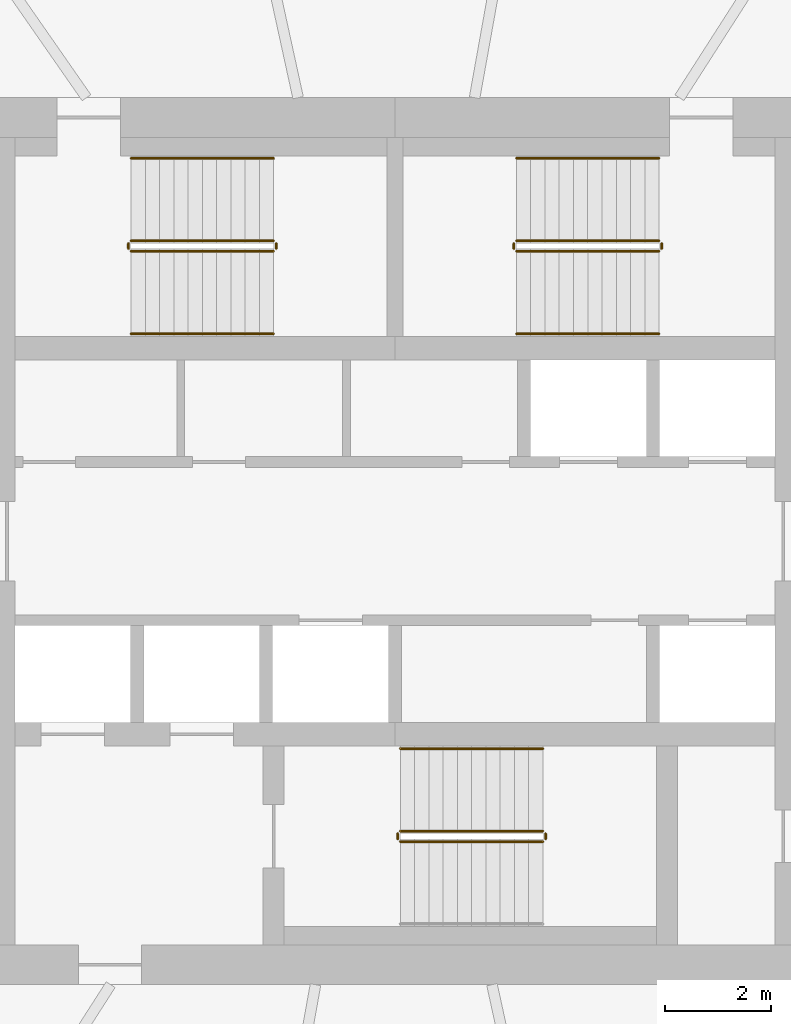
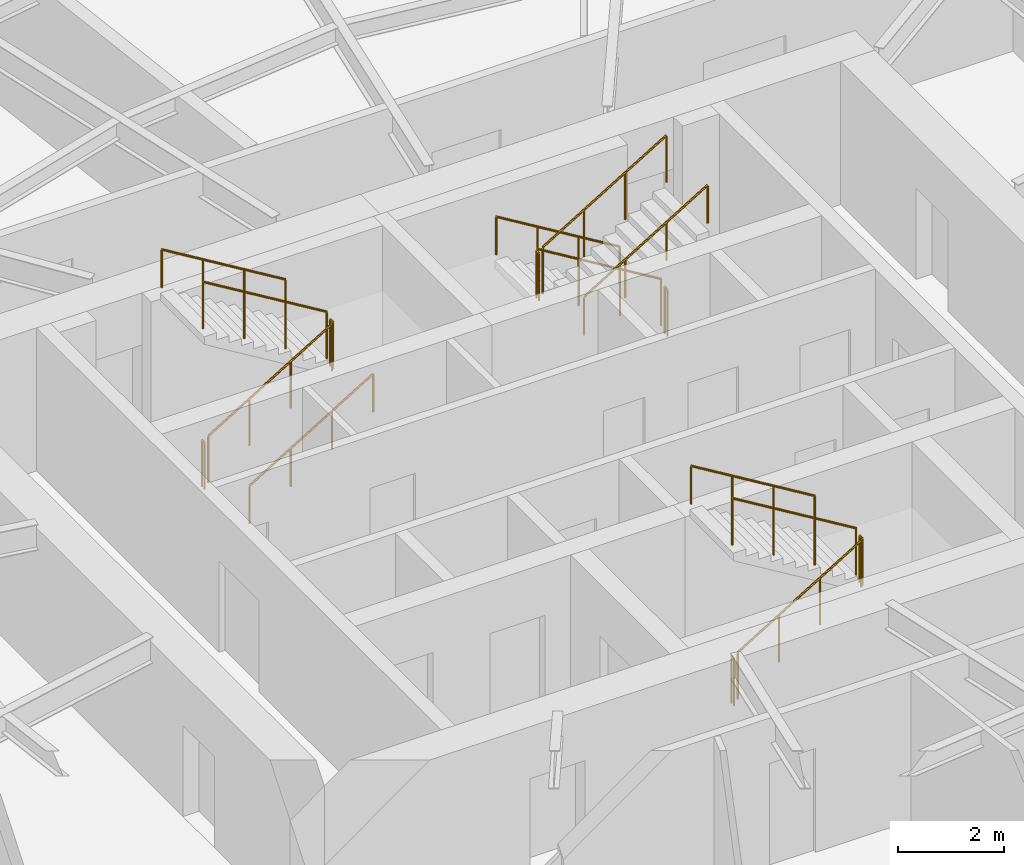
# One storey, part 13 of 14: 17 railings.
"""IFC4 building model written with IfcOpenShell, lengths in metres."""

from ifc_helpers import new_model, si_unit, direction, frame, origin, origin_2d, place, context, subcontext, project, spatial, circle, extrude, material, type_object, element, save


model = new_model("IFC4")

# Units and contexts
model_context = context("Model", 3, precision=1e-05, world=origin(), true_north=direction((0.0, 1.0)))
body_context = subcontext(model_context, "Body", "Model", "MODEL_VIEW")
ifc_project = project(units=[si_unit("LENGTHUNIT", "METRE"), si_unit("AREAUNIT", "SQUARE_METRE"), si_unit("VOLUMEUNIT", "CUBIC_METRE"), si_unit("PLANEANGLEUNIT", "RADIAN"), si_unit("MASSUNIT", "GRAM", prefix="KILO")], contexts=[model_context])

# Site, building, storey
site_placement = place(None, origin())
site = spatial("IfcSite", under=ifc_project, at=site_placement, CompositionType="ELEMENT")
building_placement = place(site_placement, origin())
building = spatial("IfcBuilding", under=site, at=building_placement, Name="Vermilion Reach Broadcast Tower", CompositionType="ELEMENT")
storey_placement = place(building_placement, frame((0.0, 0.0, 199.300048828125)))
storey = spatial("IfcBuildingStorey", under=building, at=storey_placement, Name="L48", CompositionType="ELEMENT", Elevation=199.300048828125)

# Railings
ifc_material_1 = material(Name="Stainless steel", Category="steel")
railing_type_1 = type_object("IfcRailingType", Name="Stair guard 1100", PredefinedType="GUARDRAIL", material=ifc_material_1)
railing_1_placement = place(storey_placement, frame((-11.0, 5.489990234375, 0.16357421875)))
element("IfcRailing", 1, at=railing_1_placement, inside=storey, type_object=railing_type_1, Name="L48 ST1 stair guard 1", PredefinedType="GUARDRAIL", context=body_context, shape_type="SweptSolid", body=[
    extrude(circle(Radius=0.02392578125, at=origin_2d()), frame((0.0, 0.0, 1.076171875), z_axis=(0.855178096276, 0.0, 0.518334277904), x_axis=(0.0, 1.0, 0.0)), (0.0, 0.0, 1.0), 3.1572265625),
    extrude(circle(Radius=0.02099609375, at=origin_2d()), origin(), (0.0, 0.0, 1.0), 1.052001953125),
    extrude(circle(Radius=0.02099609375, at=origin_2d()), frame((0.89990234375, 0.0, 0.54541015625)), (0.0, 0.0, 1.0), 1.052001953125),
    extrude(circle(Radius=0.02099609375, at=origin_2d()), frame((1.800048828125, 0.0, 1.091064453125)), (0.0, 0.0, 1.0), 1.052001953125),
    extrude(circle(Radius=0.02099609375, at=origin_2d()), frame((2.699951171875, 0.0, 1.636474609375)), (0.0, 0.0, 1.0), 1.052001953125),
])
railing_2_placement = place(storey_placement, frame((-8.25, 5.5400390625, 1.800048828125)))
element("IfcRailing", 2, at=railing_2_placement, inside=storey, type_object=railing_type_1, Name="L48 ST1 stair guard 2", PredefinedType="GUARDRAIL", context=body_context, shape_type="SweptSolid", body=[
    extrude(circle(Radius=0.02392578125, at=origin_2d()), frame((0.0, 0.0, 1.076171875), z_axis=(0.0, 1.0, 0.0), x_axis=(-1.0, 0.0, 0.0)), (0.0, 0.0, 1.0), 0.099853515625),
    extrude(circle(Radius=0.02099609375, at=origin_2d()), origin(), (0.0, 0.0, 1.0), 1.052001953125),
    extrude(circle(Radius=0.02099609375, at=origin_2d()), frame((0.0, 0.099853515625, 0.0)), (0.0, 0.0, 1.0), 1.052001953125),
])
railing_3_placement = place(storey_placement, frame((-8.300048828125, 5.68994140625, 1.963623046875)))
element("IfcRailing", 3, at=railing_3_placement, inside=storey, type_object=railing_type_1, Name="L48 ST1 stair guard 3", PredefinedType="GUARDRAIL", context=body_context, shape_type="SweptSolid", body=[
    extrude(circle(Radius=0.02392578125, at=origin_2d()), frame((0.0, 0.0, 1.076171875), z_axis=(-0.855212373127, 0.0, 0.518277721738), x_axis=(0.0, -1.0, 0.0)), (0.0, 0.0, 1.0), 3.156982421875),
    extrude(circle(Radius=0.02099609375, at=origin_2d()), origin(), (0.0, 0.0, 1.0), 1.052001953125),
    extrude(circle(Radius=0.02099609375, at=origin_2d()), frame((-0.89990234375, 0.0, 0.54541015625)), (0.0, 0.0, 1.0), 1.052001953125),
    extrude(circle(Radius=0.02099609375, at=origin_2d()), frame((-1.800048828125, 0.0, 1.0908203125)), (0.0, 0.0, 1.0), 1.052001953125),
    extrude(circle(Radius=0.02099609375, at=origin_2d()), frame((-2.699951171875, 0.0, 1.63623046875)), (0.0, 0.0, 1.0), 1.052001953125),
])
railing_4_placement = place(storey_placement, frame((-11.050048828125, 5.5400390625, 0.0)))
element("IfcRailing", 4, at=railing_4_placement, inside=storey, type_object=railing_type_1, Name="L48 ST1 stair guard 4", PredefinedType="GUARDRAIL", context=body_context, shape_type="SweptSolid", body=[
    extrude(circle(Radius=0.02392578125, at=origin_2d()), frame((0.0, 0.0, 1.076171875), z_axis=(0.0, 1.0, 0.0), x_axis=(-1.0, 0.0, 0.0)), (0.0, 0.0, 1.0), 0.099853515625),
    extrude(circle(Radius=0.02099609375, at=origin_2d()), origin(), (0.0, 0.0, 1.0), 1.052001953125),
    extrude(circle(Radius=0.02099609375, at=origin_2d()), frame((0.0, 0.099853515625, 0.0)), (0.0, 0.0, 1.0), 1.052001953125),
])
railing_5_placement = place(storey_placement, frame((-1.0, 5.68994140625, 0.16357421875)))
element("IfcRailing", 5, at=railing_5_placement, inside=storey, type_object=railing_type_1, Name="L48 ST2 stair guard 1", PredefinedType="GUARDRAIL", context=body_context, shape_type="SweptSolid", body=[
    extrude(circle(Radius=0.02392578125, at=origin_2d()), frame((0.0, 0.0, 1.076171875), z_axis=(-0.855178096276, 0.0, 0.518334277904), x_axis=(0.0, -1.0, 0.0)), (0.0, 0.0, 1.0), 3.1572265625),
    extrude(circle(Radius=0.02099609375, at=origin_2d()), origin(), (0.0, 0.0, 1.0), 1.052001953125),
    extrude(circle(Radius=0.02099609375, at=origin_2d()), frame((-0.89990234375, 0.0, 0.54541015625)), (0.0, 0.0, 1.0), 1.052001953125),
    extrude(circle(Radius=0.02099609375, at=origin_2d()), frame((-1.800048828125, 0.0, 1.091064453125)), (0.0, 0.0, 1.0), 1.052001953125),
    extrude(circle(Radius=0.02099609375, at=origin_2d()), frame((-2.699951171875, 0.0, 1.636474609375)), (0.0, 0.0, 1.0), 1.052001953125),
])
railing_6_placement = place(storey_placement, frame((-3.75, 5.639892578125, 1.800048828125)))
element("IfcRailing", 6, at=railing_6_placement, inside=storey, type_object=railing_type_1, Name="L48 ST2 stair guard 2", PredefinedType="GUARDRAIL", context=body_context, shape_type="SweptSolid", body=[
    extrude(circle(Radius=0.02392578125, at=origin_2d()), frame((0.0, 0.0, 1.076171875), z_axis=(0.0, -1.0, 0.0), x_axis=(1.0, 0.0, 0.0)), (0.0, 0.0, 1.0), 0.099853515625),
    extrude(circle(Radius=0.02099609375, at=origin_2d()), origin(), (0.0, 0.0, 1.0), 1.052001953125),
    extrude(circle(Radius=0.02099609375, at=origin_2d()), frame((0.0, -0.099853515625, 0.0)), (0.0, 0.0, 1.0), 1.052001953125),
])
railing_7_placement = place(storey_placement, frame((-3.699951171875, 5.489990234375, 1.963623046875)))
element("IfcRailing", 7, at=railing_7_placement, inside=storey, type_object=railing_type_1, Name="L48 ST2 stair guard 3", PredefinedType="GUARDRAIL", context=body_context, shape_type="SweptSolid", body=[
    extrude(circle(Radius=0.02392578125, at=origin_2d()), frame((0.0, 0.0, 1.076171875), z_axis=(0.855212373127, 0.0, 0.518277721738), x_axis=(0.0, 1.0, 0.0)), (0.0, 0.0, 1.0), 3.156982421875),
    extrude(circle(Radius=0.02099609375, at=origin_2d()), origin(), (0.0, 0.0, 1.0), 1.052001953125),
    extrude(circle(Radius=0.02099609375, at=origin_2d()), frame((0.89990234375, 0.0, 0.54541015625)), (0.0, 0.0, 1.0), 1.052001953125),
    extrude(circle(Radius=0.02099609375, at=origin_2d()), frame((1.800048828125, 0.0, 1.0908203125)), (0.0, 0.0, 1.0), 1.052001953125),
    extrude(circle(Radius=0.02099609375, at=origin_2d()), frame((2.699951171875, 0.0, 1.63623046875)), (0.0, 0.0, 1.0), 1.052001953125),
])
railing_8_placement = place(storey_placement, frame((-0.949951171875, 5.639892578125, 0.0)))
element("IfcRailing", 8, at=railing_8_placement, inside=storey, type_object=railing_type_1, Name="L48 ST2 stair guard 4", PredefinedType="GUARDRAIL", context=body_context, shape_type="SweptSolid", body=[
    extrude(circle(Radius=0.02392578125, at=origin_2d()), frame((0.0, 0.0, 1.076171875), z_axis=(0.0, -1.0, 0.0), x_axis=(1.0, 0.0, 0.0)), (0.0, 0.0, 1.0), 0.099853515625),
    extrude(circle(Radius=0.02099609375, at=origin_2d()), origin(), (0.0, 0.0, 1.0), 1.052001953125),
    extrude(circle(Radius=0.02099609375, at=origin_2d()), frame((0.0, -0.099853515625, 0.0)), (0.0, 0.0, 1.0), 1.052001953125),
])
railing_9_placement = place(storey_placement, frame((-5.89990234375, -5.68994140625, 0.16357421875)))
element("IfcRailing", 9, at=railing_9_placement, inside=storey, type_object=railing_type_1, Name="L48 ST3 stair guard 1", PredefinedType="GUARDRAIL", context=body_context, shape_type="SweptSolid", body=[
    extrude(circle(Radius=0.02392578125, at=origin_2d()), frame((0.0, 0.0, 1.076171875), z_axis=(0.855178096276, 0.0, 0.518334277904), x_axis=(0.0, 1.0, 0.0)), (0.0, 0.0, 1.0), 3.1572265625),
    extrude(circle(Radius=0.02099609375, at=origin_2d()), origin(), (0.0, 0.0, 1.0), 1.052001953125),
    extrude(circle(Radius=0.02099609375, at=origin_2d()), frame((0.89990234375, 0.0, 0.54541015625)), (0.0, 0.0, 1.0), 1.052001953125),
    extrude(circle(Radius=0.02099609375, at=origin_2d()), frame((1.800048828125, 0.0, 1.091064453125)), (0.0, 0.0, 1.0), 1.052001953125),
    extrude(circle(Radius=0.02099609375, at=origin_2d()), frame((2.699951171875, 0.0, 1.636474609375)), (0.0, 0.0, 1.0), 1.052001953125),
])
railing_10_placement = place(storey_placement, frame((-3.14990234375, -5.639892578125, 1.800048828125)))
element("IfcRailing", 10, at=railing_10_placement, inside=storey, type_object=railing_type_1, Name="L48 ST3 stair guard 2", PredefinedType="GUARDRAIL", context=body_context, shape_type="SweptSolid", body=[
    extrude(circle(Radius=0.02392578125, at=origin_2d()), frame((0.0, 0.0, 1.076171875), z_axis=(0.0, 1.0, 0.0), x_axis=(-1.0, 0.0, 0.0)), (0.0, 0.0, 1.0), 0.099853515625),
    extrude(circle(Radius=0.02099609375, at=origin_2d()), origin(), (0.0, 0.0, 1.0), 1.052001953125),
    extrude(circle(Radius=0.02099609375, at=origin_2d()), frame((0.0, 0.099853515625, 0.0)), (0.0, 0.0, 1.0), 1.052001953125),
])
railing_11_placement = place(storey_placement, frame((-3.199951171875, -5.489990234375, 1.963623046875)))
element("IfcRailing", 11, at=railing_11_placement, inside=storey, type_object=railing_type_1, Name="L48 ST3 stair guard 3", PredefinedType="GUARDRAIL", context=body_context, shape_type="SweptSolid", body=[
    extrude(circle(Radius=0.02392578125, at=origin_2d()), frame((0.0, 0.0, 1.076171875), z_axis=(-0.855212373127, 0.0, 0.518277721738), x_axis=(0.0, -1.0, 0.0)), (0.0, 0.0, 1.0), 3.156982421875),
    extrude(circle(Radius=0.02099609375, at=origin_2d()), origin(), (0.0, 0.0, 1.0), 1.052001953125),
    extrude(circle(Radius=0.02099609375, at=origin_2d()), frame((-0.89990234375, 0.0, 0.54541015625)), (0.0, 0.0, 1.0), 1.052001953125),
    extrude(circle(Radius=0.02099609375, at=origin_2d()), frame((-1.800048828125, 0.0, 1.0908203125)), (0.0, 0.0, 1.0), 1.052001953125),
    extrude(circle(Radius=0.02099609375, at=origin_2d()), frame((-2.699951171875, 0.0, 1.63623046875)), (0.0, 0.0, 1.0), 1.052001953125),
])
railing_12_placement = place(storey_placement, frame((-5.949951171875, -5.639892578125, 0.0)))
element("IfcRailing", 12, at=railing_12_placement, inside=storey, type_object=railing_type_1, Name="L48 ST3 stair guard 4", PredefinedType="GUARDRAIL", context=body_context, shape_type="SweptSolid", body=[
    extrude(circle(Radius=0.02392578125, at=origin_2d()), frame((0.0, 0.0, 1.076171875), z_axis=(0.0, 1.0, 0.0), x_axis=(-1.0, 0.0, 0.0)), (0.0, 0.0, 1.0), 0.099853515625),
    extrude(circle(Radius=0.02099609375, at=origin_2d()), origin(), (0.0, 0.0, 1.0), 1.052001953125),
    extrude(circle(Radius=0.02099609375, at=origin_2d()), frame((0.0, 0.099853515625, 0.0)), (0.0, 0.0, 1.0), 1.052001953125),
])
ifc_material_2 = material(Name="Stainless steel", Category="steel")
railing_type_2 = type_object("IfcRailingType", Name="Stair handrail", PredefinedType="HANDRAIL", material=ifc_material_2)
railing_13_placement = place(storey_placement, frame((-11.0, 3.929931640625, 0.16357421875)))
element("IfcRailing", 13, at=railing_13_placement, inside=storey, type_object=railing_type_2, Name="L48 ST1 stair handrail 1", PredefinedType="HANDRAIL", context=body_context, shape_type="SweptSolid", body=[
    extrude(circle(Radius=0.02392578125, at=origin_2d()), frame((0.0, 0.0, 0.8759765625), z_axis=(0.855178096276, 0.0, 0.518334277904), x_axis=(0.0, 1.0, 0.0)), (0.0, 0.0, 1.0), 3.1572265625),
    extrude(circle(Radius=0.02099609375, at=origin_2d()), origin(), (0.0, 0.0, 1.0), 0.851806640625),
    extrude(circle(Radius=0.02099609375, at=origin_2d()), frame((0.89990234375, 0.0, 0.54541015625)), (0.0, 0.0, 1.0), 0.851806640625),
    extrude(circle(Radius=0.02099609375, at=origin_2d()), frame((1.800048828125, 0.0, 1.091064453125)), (0.0, 0.0, 1.0), 0.851806640625),
    extrude(circle(Radius=0.02099609375, at=origin_2d()), frame((2.699951171875, 0.0, 1.636474609375)), (0.0, 0.0, 1.0), 0.851806640625),
])
railing_14_placement = place(storey_placement, frame((-8.300048828125, 7.25, 1.963623046875)))
element("IfcRailing", 14, at=railing_14_placement, inside=storey, type_object=railing_type_2, Name="L48 ST1 stair handrail 2", PredefinedType="HANDRAIL", context=body_context, shape_type="SweptSolid", body=[
    extrude(circle(Radius=0.02392578125, at=origin_2d()), frame((0.0, 0.0, 0.8759765625), z_axis=(-0.855212373127, 0.0, 0.518277721738), x_axis=(0.0, -1.0, 0.0)), (0.0, 0.0, 1.0), 3.156982421875),
    extrude(circle(Radius=0.02099609375, at=origin_2d()), origin(), (0.0, 0.0, 1.0), 0.851806640625),
    extrude(circle(Radius=0.02099609375, at=origin_2d()), frame((-0.89990234375, 0.0, 0.54541015625)), (0.0, 0.0, 1.0), 0.851806640625),
    extrude(circle(Radius=0.02099609375, at=origin_2d()), frame((-1.800048828125, 0.0, 1.0908203125)), (0.0, 0.0, 1.0), 0.851806640625),
    extrude(circle(Radius=0.02099609375, at=origin_2d()), frame((-2.699951171875, 0.0, 1.63623046875)), (0.0, 0.0, 1.0), 0.851806640625),
])
railing_15_placement = place(storey_placement, frame((-1.0, 7.25, 0.16357421875)))
element("IfcRailing", 15, at=railing_15_placement, inside=storey, type_object=railing_type_2, Name="L48 ST2 stair handrail 1", PredefinedType="HANDRAIL", context=body_context, shape_type="SweptSolid", body=[
    extrude(circle(Radius=0.02392578125, at=origin_2d()), frame((0.0, 0.0, 0.8759765625), z_axis=(-0.855178096276, 0.0, 0.518334277904), x_axis=(0.0, -1.0, 0.0)), (0.0, 0.0, 1.0), 3.1572265625),
    extrude(circle(Radius=0.02099609375, at=origin_2d()), origin(), (0.0, 0.0, 1.0), 0.851806640625),
    extrude(circle(Radius=0.02099609375, at=origin_2d()), frame((-0.89990234375, 0.0, 0.54541015625)), (0.0, 0.0, 1.0), 0.851806640625),
    extrude(circle(Radius=0.02099609375, at=origin_2d()), frame((-1.800048828125, 0.0, 1.091064453125)), (0.0, 0.0, 1.0), 0.851806640625),
    extrude(circle(Radius=0.02099609375, at=origin_2d()), frame((-2.699951171875, 0.0, 1.636474609375)), (0.0, 0.0, 1.0), 0.851806640625),
])
railing_16_placement = place(storey_placement, frame((-3.699951171875, 3.929931640625, 1.963623046875)))
element("IfcRailing", 16, at=railing_16_placement, inside=storey, type_object=railing_type_2, Name="L48 ST2 stair handrail 2", PredefinedType="HANDRAIL", context=body_context, shape_type="SweptSolid", body=[
    extrude(circle(Radius=0.02392578125, at=origin_2d()), frame((0.0, 0.0, 0.8759765625), z_axis=(0.855212373127, 0.0, 0.518277721738), x_axis=(0.0, 1.0, 0.0)), (0.0, 0.0, 1.0), 3.156982421875),
    extrude(circle(Radius=0.02099609375, at=origin_2d()), origin(), (0.0, 0.0, 1.0), 0.851806640625),
    extrude(circle(Radius=0.02099609375, at=origin_2d()), frame((0.89990234375, 0.0, 0.54541015625)), (0.0, 0.0, 1.0), 0.851806640625),
    extrude(circle(Radius=0.02099609375, at=origin_2d()), frame((1.800048828125, 0.0, 1.0908203125)), (0.0, 0.0, 1.0), 0.851806640625),
    extrude(circle(Radius=0.02099609375, at=origin_2d()), frame((2.699951171875, 0.0, 1.63623046875)), (0.0, 0.0, 1.0), 0.851806640625),
])
railing_17_placement = place(storey_placement, frame((-3.199951171875, -3.929931640625, 1.963623046875)))
element("IfcRailing", 17, at=railing_17_placement, inside=storey, type_object=railing_type_2, Name="L48 ST3 stair handrail 2", PredefinedType="HANDRAIL", context=body_context, shape_type="SweptSolid", body=[
    extrude(circle(Radius=0.02392578125, at=origin_2d()), frame((0.0, 0.0, 0.8759765625), z_axis=(-0.855212373127, 0.0, 0.518277721738), x_axis=(0.0, -1.0, 0.0)), (0.0, 0.0, 1.0), 3.156982421875),
    extrude(circle(Radius=0.02099609375, at=origin_2d()), origin(), (0.0, 0.0, 1.0), 0.851806640625),
    extrude(circle(Radius=0.02099609375, at=origin_2d()), frame((-0.89990234375, 0.0, 0.54541015625)), (0.0, 0.0, 1.0), 0.851806640625),
    extrude(circle(Radius=0.02099609375, at=origin_2d()), frame((-1.800048828125, 0.0, 1.0908203125)), (0.0, 0.0, 1.0), 0.851806640625),
    extrude(circle(Radius=0.02099609375, at=origin_2d()), frame((-2.699951171875, 0.0, 1.63623046875)), (0.0, 0.0, 1.0), 0.851806640625),
])

save(model, "model.ifc")
